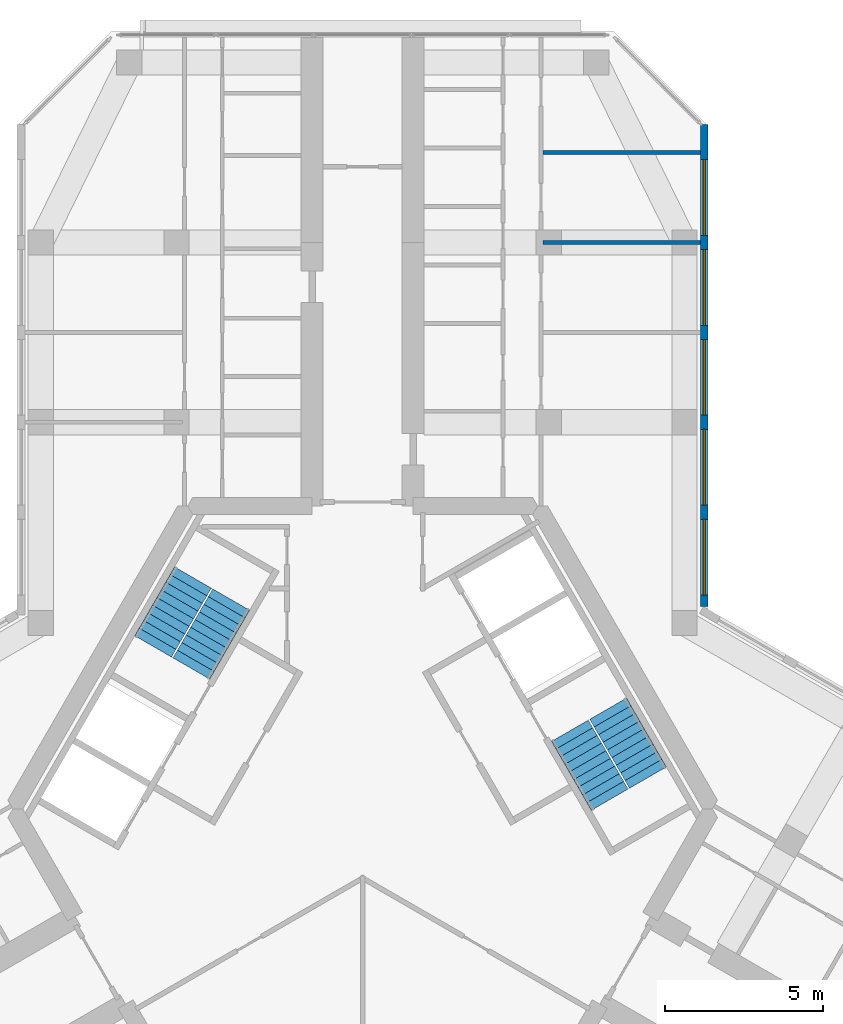
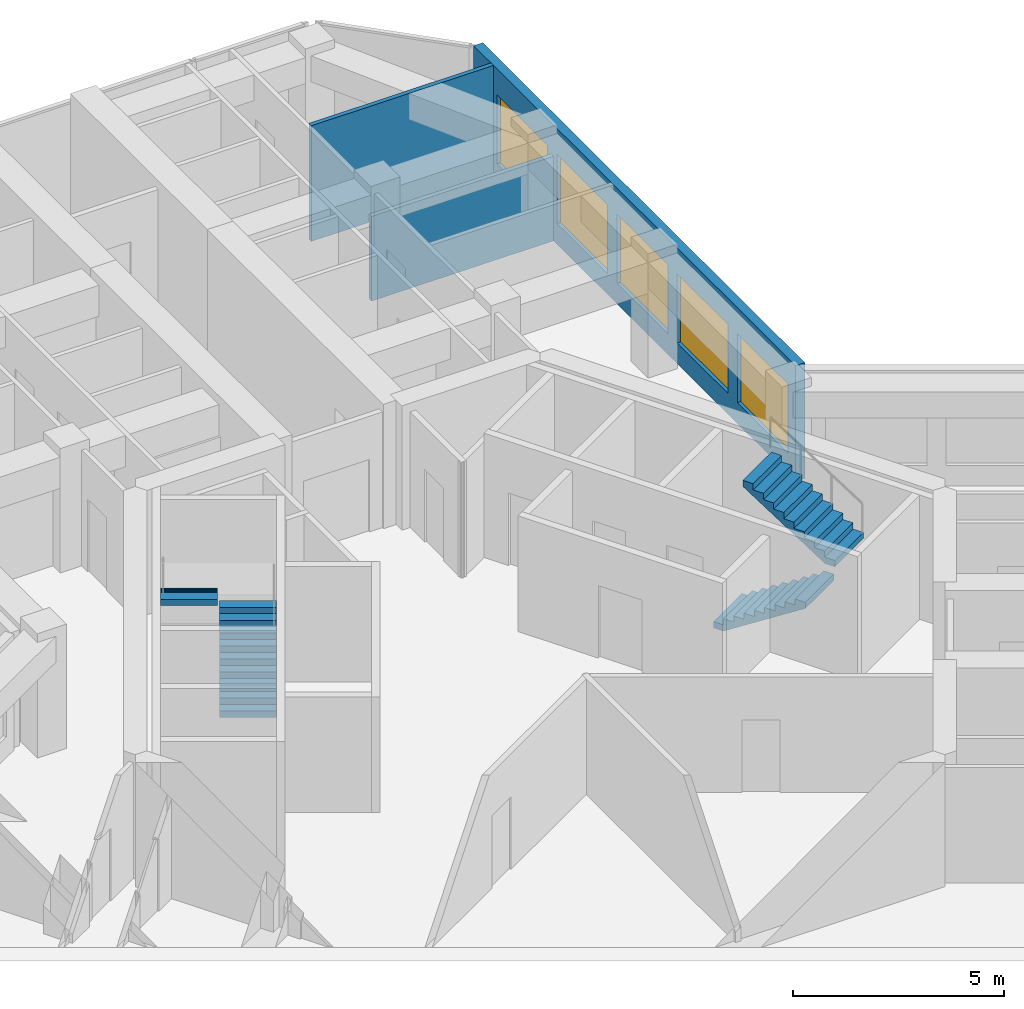
# One storey, part 13 of 14: 5 windows, 4 stair flights, 3 walls, 5 openings, 2 elements without a shape of their own.
"""IFC4 building model written with IfcOpenShell, lengths in metres."""

from ifc_helpers import new_model, si_unit, direction, frame, frame_2d, origin, place, context, subcontext, project, spatial, polyline, rectangle, outline, extrude, material, layer, layer_set, type_object, element, fill, aggregate, save


model = new_model("IFC4")

# Units and contexts
model_context = context("Model", 3, precision=1e-05, world=origin(), true_north=direction((0.0, 1.0)))
body_context = subcontext(model_context, "Body", "Model", "MODEL_VIEW")
ifc_project = project(units=[si_unit("LENGTHUNIT", "METRE"), si_unit("AREAUNIT", "SQUARE_METRE"), si_unit("VOLUMEUNIT", "CUBIC_METRE"), si_unit("PLANEANGLEUNIT", "RADIAN"), si_unit("MASSUNIT", "GRAM", prefix="KILO")], contexts=[model_context])

# Site, building, storey
site_placement = place(None, origin())
site = spatial("IfcSite", under=ifc_project, at=site_placement, CompositionType="ELEMENT")
building_placement = place(site_placement, origin())
building = spatial("IfcBuilding", under=site, at=building_placement, Name="Kosmar Iwan School Tower", CompositionType="ELEMENT")
storey_placement = place(building_placement, frame((0.0, 0.0, 278.199951171875)))
storey = spatial("IfcBuildingStorey", under=building, at=storey_placement, Name="L70", CompositionType="ELEMENT", Elevation=278.199951171875)

# Walls
ifc_material_1 = material(Name="Gypsum board on steel studs", Category="steel")
ifc_layer_1 = layer(ifc_material_1, 0.1201171875)
ifc_layer_set_1 = layer_set([ifc_layer_1], Name="Dwelling partition 120")
wall_type_1 = type_object("IfcWallType", Name="Dwelling partition 120", PredefinedType="PARTITIONING", material=ifc_layer_set_1)
wall_1_placement = place(storey_placement, frame((5.7099609375, 17.949951171875, 0.0), z_axis=(0.0, 0.0, 1.0), x_axis=(1.0, 0.0, 0.0)))
element("IfcWall", 1, at=wall_1_placement, inside=storey, type_object=wall_type_1, Name="Partition L70-AR1-X2", PredefinedType="PARTITIONING", context=body_context, shape_type="SweptSolid", body=[
    extrude(rectangle(XDim=4.989990234375, YDim=0.1201171875, at=frame_2d((2.4951171875, 0.0))), origin(), (0.0, 0.0, 1.0), 2.449951171875),
])
wall_2_placement = place(storey_placement, frame((5.7099609375, 20.800048828125, 0.0), z_axis=(0.0, 0.0, 1.0), x_axis=(1.0, 0.0, 0.0)))
element("IfcWall", 2, at=wall_2_placement, inside=storey, type_object=wall_type_1, Name="Partition L70-AR1-X3", PredefinedType="PARTITIONING", context=body_context, shape_type="SweptSolid", body=[
    extrude(rectangle(XDim=4.989990234375, YDim=0.1201171875, at=frame_2d((2.4951171875, 0.0))), origin(), (0.0, 0.0, 1.0), 3.35009765625),
])

# Wall, openings, windows
ifc_material_2 = material(Name="Black aluminium rainscreen on insulated framing", Category="aluminium")
ifc_layer_2 = layer(ifc_material_2, 0.25)
ifc_layer_set_2 = layer_set([ifc_layer_2], Name="External wall rainscreen 250")
wall_type_2 = type_object("IfcWallType", Name="External wall rainscreen 250", PredefinedType="SOLIDWALL", material=ifc_layer_set_2)
wall_3_placement = place(storey_placement, frame((10.824951171875, 6.408935546875, 0.0), z_axis=(0.0, 0.0, 1.0), x_axis=(0.0, 1.0, 0.0)))
wall_3 = element("IfcWall", 3, at=wall_3_placement, inside=storey, type_object=wall_type_2, Name="External wall AR L70", PredefinedType="SOLIDWALL", context=body_context, shape_type="SweptSolid", body=[
    extrude(rectangle(XDim=15.2763671875, YDim=0.25, at=frame_2d((7.63818359375, 0.0))), origin(), (0.0, 0.0, 1.0), 3.35009765625),
])
opening_1_placement = place(wall_3_placement, frame((0.365966796875, 0.0, 0.60009765625)))
opening_1 = element("IfcOpeningElement", 4, at=opening_1_placement, cuts=wall_3, Name="Opening W6", PredefinedType="OPENING", context=body_context, shape_type="SweptSolid", body=[
    extrude(rectangle(XDim=2.39990234375, YDim=2.0, at=frame_2d((1.199951171875, 1.0))), frame((0.0, 0.136962890625, 0.0), z_axis=(0.0, -1.0, 0.0), x_axis=(1.0, 0.0, 0.0)), (0.0, 0.0, 1.0), 0.27392578125),
])
opening_2_placement = place(wall_3_placement, frame((3.216064453125, 0.0, 0.60009765625)))
opening_2 = element("IfcOpeningElement", 5, at=opening_2_placement, cuts=wall_3, Name="Opening W6", PredefinedType="OPENING", context=body_context, shape_type="SweptSolid", body=[
    extrude(rectangle(XDim=2.39990234375, YDim=2.0, at=frame_2d((1.199951171875, 1.0))), frame((0.0, 0.136962890625, 0.0), z_axis=(0.0, -1.0, 0.0), x_axis=(1.0, 0.0, 0.0)), (0.0, 0.0, 1.0), 0.27392578125),
])
opening_3_placement = place(wall_3_placement, frame((6.06591796875, 0.0, 0.60009765625)))
opening_3 = element("IfcOpeningElement", 6, at=opening_3_placement, cuts=wall_3, Name="Opening W6", PredefinedType="OPENING", context=body_context, shape_type="SweptSolid", body=[
    extrude(rectangle(XDim=2.39990234375, YDim=2.0, at=frame_2d((1.199951171875, 1.0))), frame((0.0, 0.136962890625, 0.0), z_axis=(0.0, -1.0, 0.0), x_axis=(1.0, 0.0, 0.0)), (0.0, 0.0, 1.0), 0.27392578125),
])
opening_4_placement = place(wall_3_placement, frame((8.916015625, 0.0, 0.60009765625)))
opening_4 = element("IfcOpeningElement", 7, at=opening_4_placement, cuts=wall_3, Name="Opening W6", PredefinedType="OPENING", context=body_context, shape_type="SweptSolid", body=[
    extrude(rectangle(XDim=2.39990234375, YDim=2.0, at=frame_2d((1.199951171875, 1.0))), frame((0.0, 0.136962890625, 0.0), z_axis=(0.0, -1.0, 0.0), x_axis=(1.0, 0.0, 0.0)), (0.0, 0.0, 1.0), 0.27392578125),
])
opening_5_placement = place(wall_3_placement, frame((11.76611328125, 0.0, 0.60009765625)))
opening_5 = element("IfcOpeningElement", 8, at=opening_5_placement, cuts=wall_3, Name="Opening W6", PredefinedType="OPENING", context=body_context, shape_type="SweptSolid", body=[
    extrude(rectangle(XDim=2.39990234375, YDim=2.0, at=frame_2d((1.199951171875, 1.0))), frame((0.0, 0.136962890625, 0.0), z_axis=(0.0, -1.0, 0.0), x_axis=(1.0, 0.0, 0.0)), (0.0, 0.0, 1.0), 0.27392578125),
])
ifc_material_3 = material(Name="Black aluminium frame with dark triple glazing", Category="aluminium")
window_type = type_object("IfcWindowType", Name="Window 2400x2000", PartitioningType="SINGLE_PANEL", PredefinedType="WINDOW", material=ifc_material_3)
window_1_placement = place(opening_1_placement, origin())
window_1 = element("IfcWindow", 9, at=window_1_placement, inside=storey, type_object=window_type, Name="Window AR L70 -1", OverallHeight=2.0, OverallWidth=2.39990234375, PartitioningType="SINGLE_PANEL", PredefinedType="WINDOW", context=body_context, shape_type="SweptSolid", body=[
    extrude(rectangle(XDim=2.39990234375, YDim=2.0, at=frame_2d((1.199951171875, 1.0))), frame((0.0, 0.030029296875, 0.0), z_axis=(0.0, -1.0, 0.0), x_axis=(1.0, 0.0, 0.0)), (0.0, 0.0, 1.0), 0.06005859375),
])
fill(opening_1, window_1)
window_2_placement = place(opening_2_placement, origin())
window_2 = element("IfcWindow", 10, at=window_2_placement, inside=storey, type_object=window_type, Name="Window AR L70 0", OverallHeight=2.0, OverallWidth=2.39990234375, PartitioningType="SINGLE_PANEL", PredefinedType="WINDOW", context=body_context, shape_type="SweptSolid", body=[
    extrude(rectangle(XDim=2.39990234375, YDim=2.0, at=frame_2d((1.199951171875, 1.0))), frame((0.0, 0.030029296875, 0.0), z_axis=(0.0, -1.0, 0.0), x_axis=(1.0, 0.0, 0.0)), (0.0, 0.0, 1.0), 0.06005859375),
])
fill(opening_2, window_2)
window_3_placement = place(opening_3_placement, origin())
window_3 = element("IfcWindow", 11, at=window_3_placement, inside=storey, type_object=window_type, Name="Window AR L70 1", OverallHeight=2.0, OverallWidth=2.39990234375, PartitioningType="SINGLE_PANEL", PredefinedType="WINDOW", context=body_context, shape_type="SweptSolid", body=[
    extrude(rectangle(XDim=2.39990234375, YDim=2.0, at=frame_2d((1.199951171875, 1.0))), frame((0.0, 0.030029296875, 0.0), z_axis=(0.0, -1.0, 0.0), x_axis=(1.0, 0.0, 0.0)), (0.0, 0.0, 1.0), 0.06005859375),
])
fill(opening_3, window_3)
window_4_placement = place(opening_4_placement, origin())
window_4 = element("IfcWindow", 12, at=window_4_placement, inside=storey, type_object=window_type, Name="Window AR L70 2", OverallHeight=2.0, OverallWidth=2.39990234375, PartitioningType="SINGLE_PANEL", PredefinedType="WINDOW", context=body_context, shape_type="SweptSolid", body=[
    extrude(rectangle(XDim=2.39990234375, YDim=2.0, at=frame_2d((1.199951171875, 1.0))), frame((0.0, 0.030029296875, 0.0), z_axis=(0.0, -1.0, 0.0), x_axis=(1.0, 0.0, 0.0)), (0.0, 0.0, 1.0), 0.06005859375),
])
fill(opening_4, window_4)
window_5_placement = place(opening_5_placement, origin())
window_5 = element("IfcWindow", 13, at=window_5_placement, inside=storey, type_object=window_type, Name="Window AR L70 3", OverallHeight=2.0, OverallWidth=2.39990234375, PartitioningType="SINGLE_PANEL", PredefinedType="WINDOW", context=body_context, shape_type="SweptSolid", body=[
    extrude(rectangle(XDim=2.39990234375, YDim=2.0, at=frame_2d((1.199951171875, 1.0))), frame((0.0, 0.030029296875, 0.0), z_axis=(0.0, -1.0, 0.0), x_axis=(1.0, 0.0, 0.0)), (0.0, 0.0, 1.0), 0.06005859375),
])
fill(opening_5, window_5)

# Stair, stair flights
ifc_material_4 = material(Name="Concrete C35/45", Category="concrete")
stair_type = type_object("IfcStairType", Name="Core stair 2750", PredefinedType="HALF_TURN_STAIR", material=ifc_material_4)
stair_1_placement = place(storey_placement, origin())
stair_1 = element("IfcStair", 14, at=stair_1_placement, inside=storey, type_object=stair_type, Name="Stair ST2 L70", PredefinedType="HALF_TURN_STAIR")
ifc_material_5 = material(Name="Concrete C35/45", Category="concrete")
stair_flight_type = type_object("IfcStairFlightType", Name="Stair flight 1350", PredefinedType="STRAIGHT", material=ifc_material_5)
stair_flight_1_placement = place(storey_placement, frame((-5.42724609375, 4.44970703125, 0.0), z_axis=(0.0, 0.0, 1.0), x_axis=(0.5, 0.866025403784, 0.0)))
stair_flight_1 = element("IfcStairFlight", 15, at=stair_flight_1_placement, type_object=stair_flight_type, Name="ST2 flight 1", NumberOfRisers=10, NumberOfTreads=9, PredefinedType="STRAIGHT", RiserHeight=0.18, TreadLength=0.28, context=body_context, shape_type="SweptSolid", body=[
    extrude(outline(polyline([(0.0, 0.0), (0.0, 0.179931640625), (0.280029296875, 0.179931640625), (0.280029296875, 0.360107421875), (0.56005859375, 0.360107421875), (0.56005859375, 0.5400390625), (0.840087890625, 0.5400390625), (0.840087890625, 0.719970703125), (1.1201171875, 0.719970703125), (1.1201171875, 0.89990234375), (1.39990234375, 0.89990234375), (1.39990234375, 1.080078125), (1.679931640625, 1.080078125), (1.679931640625, 1.260009765625), (1.9599609375, 1.260009765625), (1.9599609375, 1.43994140625), (2.239990234375, 1.43994140625), (2.239990234375, 1.6201171875), (2.52001953125, 1.6201171875), (2.52001953125, 1.800048828125), (2.52001953125, 1.44189453125), (0.277099609375, 0.0), (0.0, 0.0)])), frame((0.0, 0.675048828125, 0.0), z_axis=(0.0, -1.0, 0.0), x_axis=(1.0, 0.0, 0.0)), (0.0, 0.0, 1.0), 1.35009765625),
])
stair_flight_2_placement = place(storey_placement, frame((-5.379638671875, 7.33203125, 1.800048828125), z_axis=(0.0, 0.0, 1.0), x_axis=(-0.5, -0.866025403784, 0.0)))
stair_flight_2 = element("IfcStairFlight", 16, at=stair_flight_2_placement, type_object=stair_flight_type, Name="ST2 flight 2", NumberOfRisers=10, NumberOfTreads=9, PredefinedType="STRAIGHT", RiserHeight=0.18, TreadLength=0.28, context=body_context, shape_type="SweptSolid", body=[
    extrude(outline(polyline([(0.0, 0.0), (0.0, 0.179931640625), (0.280029296875, 0.179931640625), (0.280029296875, 0.360107421875), (0.56005859375, 0.360107421875), (0.56005859375, 0.5400390625), (0.840087890625, 0.5400390625), (0.840087890625, 0.719970703125), (1.1201171875, 0.719970703125), (1.1201171875, 0.89990234375), (1.39990234375, 0.89990234375), (1.39990234375, 1.080078125), (1.679931640625, 1.080078125), (1.679931640625, 1.260009765625), (1.9599609375, 1.260009765625), (1.9599609375, 1.43994140625), (2.239990234375, 1.43994140625), (2.239990234375, 1.6201171875), (2.52001953125, 1.6201171875), (2.52001953125, 1.800048828125), (2.52001953125, 1.44189453125), (0.277099609375, 0.0), (0.0, 0.0)])), frame((0.0, 0.675048828125, 0.0), z_axis=(0.0, -1.0, 0.0), x_axis=(1.0, 0.0, 0.0)), (0.0, 0.0, 1.0), 1.35009765625),
])
aggregate(stair_1, [stair_flight_1, stair_flight_2])

stair_2_placement = place(storey_placement, origin())
stair_2 = element("IfcStair", 17, at=stair_2_placement, inside=storey, type_object=stair_type, Name="Stair ST1 L70", PredefinedType="HALF_TURN_STAIR")
stair_flight_3_placement = place(storey_placement, frame((6.567138671875, 2.475341796875, 0.0), z_axis=(0.0, 0.0, 1.0), x_axis=(0.5, -0.866025403784, 0.0)))
stair_flight_3 = element("IfcStairFlight", 18, at=stair_flight_3_placement, type_object=stair_flight_type, Name="ST1 flight 1", NumberOfRisers=10, NumberOfTreads=9, PredefinedType="STRAIGHT", RiserHeight=0.18, TreadLength=0.28, context=body_context, shape_type="SweptSolid", body=[
    extrude(outline(polyline([(0.0, 0.0), (0.0, 0.179931640625), (0.280029296875, 0.179931640625), (0.280029296875, 0.360107421875), (0.56005859375, 0.360107421875), (0.56005859375, 0.5400390625), (0.840087890625, 0.5400390625), (0.840087890625, 0.719970703125), (1.1201171875, 0.719970703125), (1.1201171875, 0.89990234375), (1.39990234375, 0.89990234375), (1.39990234375, 1.080078125), (1.679931640625, 1.080078125), (1.679931640625, 1.260009765625), (1.9599609375, 1.260009765625), (1.9599609375, 1.43994140625), (2.239990234375, 1.43994140625), (2.239990234375, 1.6201171875), (2.52001953125, 1.6201171875), (2.52001953125, 1.800048828125), (2.52001953125, 1.44189453125), (0.277099609375, 0.0), (0.0, 0.0)])), frame((0.0, 0.675048828125, 0.0), z_axis=(0.0, -1.0, 0.0), x_axis=(1.0, 0.0, 0.0)), (0.0, 0.0, 1.0), 1.35009765625),
])
stair_flight_4_placement = place(storey_placement, frame((9.03955078125, 0.992919921875, 1.800048828125), z_axis=(0.0, 0.0, 1.0), x_axis=(-0.5, 0.866025403784, 0.0)))
stair_flight_4 = element("IfcStairFlight", 19, at=stair_flight_4_placement, type_object=stair_flight_type, Name="ST1 flight 2", NumberOfRisers=10, NumberOfTreads=9, PredefinedType="STRAIGHT", RiserHeight=0.18, TreadLength=0.28, context=body_context, shape_type="SweptSolid", body=[
    extrude(outline(polyline([(0.0, 0.0), (0.0, 0.179931640625), (0.280029296875, 0.179931640625), (0.280029296875, 0.360107421875), (0.56005859375, 0.360107421875), (0.56005859375, 0.5400390625), (0.840087890625, 0.5400390625), (0.840087890625, 0.719970703125), (1.1201171875, 0.719970703125), (1.1201171875, 0.89990234375), (1.39990234375, 0.89990234375), (1.39990234375, 1.080078125), (1.679931640625, 1.080078125), (1.679931640625, 1.260009765625), (1.9599609375, 1.260009765625), (1.9599609375, 1.43994140625), (2.239990234375, 1.43994140625), (2.239990234375, 1.6201171875), (2.52001953125, 1.6201171875), (2.52001953125, 1.800048828125), (2.52001953125, 1.44189453125), (0.277099609375, 0.0), (0.0, 0.0)])), frame((0.0, 0.675048828125, 0.0), z_axis=(0.0, -1.0, 0.0), x_axis=(1.0, 0.0, 0.0)), (0.0, 0.0, 1.0), 1.35009765625),
])
aggregate(stair_2, [stair_flight_3, stair_flight_4])

save(model, "model.ifc")
